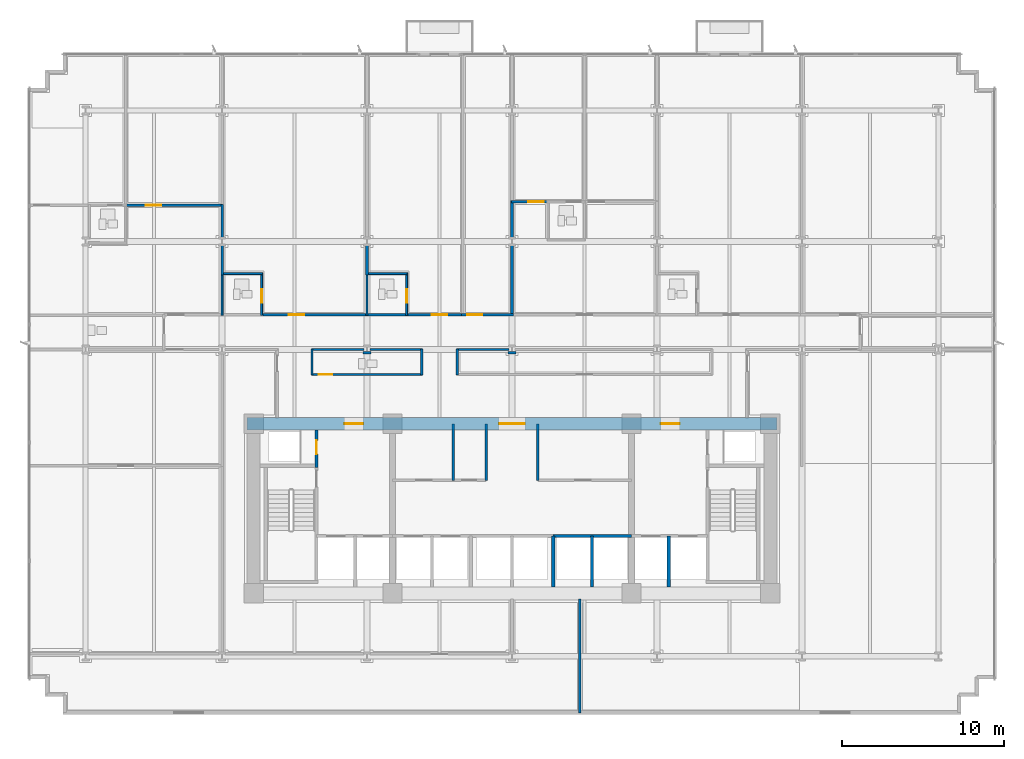
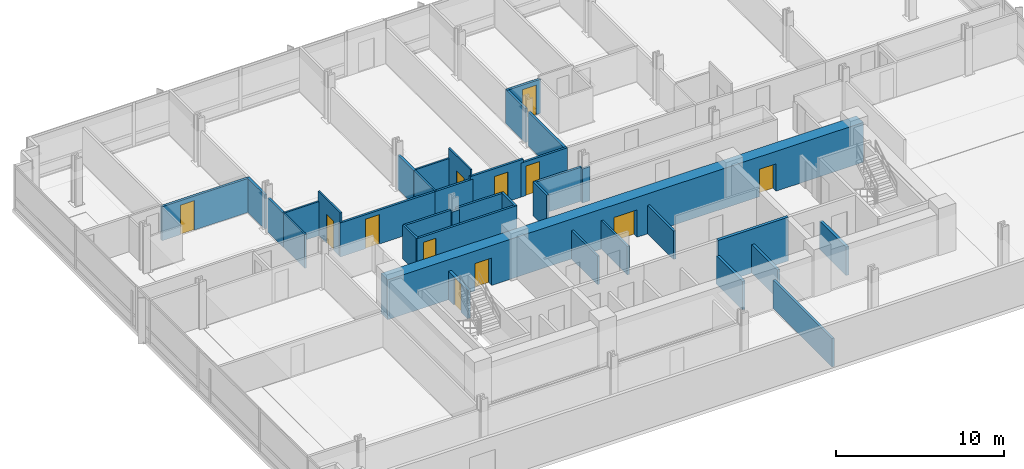
# One storey, part 9 of 15: 36 walls, 12 doors, 12 openings.
"""IFC4 building model written with IfcOpenShell, lengths in metres."""

import ifcopenshell
import ifcopenshell.guid

model = None  # the IFC model being written
_history = None  # IfcOwnerHistory: only IFC2X3 demands one
_inside = {}  # id of a spatial element -> (the spatial element, [elements in it])
_under = {}  # id of a project, library or spatial element -> (it, [spatial elements below it])
_declared = {}  # id of a project -> (the project, [libraries it declares])
_typed = {}  # id of a type object -> (the type object, [elements of that type])
_made_of = {}  # id of a material, layer set ... -> (it, [elements and type objects made of it])


def new_model(schema):
    """Start an empty IFC model of exactly this schema.

    Asked for "IFC4X3", IfcOpenShell would pick the latest addendum, in which some entities
    have other attributes; the version numbers below select the first issue.
    IFC2X3 requires an IfcOwnerHistory on every rooted entity: one is made here for all.
    """
    global model, _history
    if schema == "IFC4X3":
        model = ifcopenshell.file(schema_version=(4, 3, 0, 0))
    else:
        model = ifcopenshell.file(schema=schema)
    _inside.clear()
    _under.clear()
    _declared.clear()
    _typed.clear()
    _made_of.clear()
    _history = None
    if model.schema == "IFC2X3":
        org = make("IfcOrganization", Name="unknown")
        user = make(
            "IfcPersonAndOrganization",
            ThePerson=make("IfcPerson", FamilyName="unknown"),
            TheOrganization=org,
        )
        app = make(
            "IfcApplication",
            ApplicationDeveloper=org,
            Version="unknown",
            ApplicationFullName="unknown",
            ApplicationIdentifier="unknown",
        )
        _history = make(
            "IfcOwnerHistory",
            OwningUser=user,
            OwningApplication=app,
            ChangeAction="ADDED",
            CreationDate=0,
        )
    return model


def make(cls, **values):
    """One entity of the class cls with the attributes given. An attribute that is None is left unset."""
    return model.create_entity(
        cls, **{name: value for name, value in values.items() if value is not None}
    )


def rooted(cls, **values):
    """An entity with a GlobalId (a new one), such as an element, a storey or a relation."""
    return make(cls, GlobalId=ifcopenshell.guid.new(), OwnerHistory=_history, **values)


def si_unit(unit_type, name, prefix=None):
    """IfcSIUnit, for example si_unit("LENGTHUNIT", "METRE", prefix="MILLI")."""
    return make("IfcSIUnit", UnitType=unit_type, Prefix=prefix, Name=name)


def assignment(units):
    """IfcUnitAssignment: the units of a project."""
    return None if units is None else make("IfcUnitAssignment", Units=units)


def point(xyz):
    """IfcCartesianPoint."""
    return None if xyz is None else make("IfcCartesianPoint", Coordinates=xyz)


def direction(xyz):
    """IfcDirection."""
    return None if xyz is None else make("IfcDirection", DirectionRatios=xyz)


def frame(location, z_axis=None, x_axis=None):
    """IfcAxis2Placement3D, a coordinate frame: its origin and axes. An axis left out is left unset."""
    return make(
        "IfcAxis2Placement3D",
        Location=point(location),
        Axis=direction(z_axis),
        RefDirection=direction(x_axis),
    )


def frame_2d(location, x_axis=None):
    """IfcAxis2Placement2D, a coordinate frame in the plane: its origin and x axis."""
    return make(
        "IfcAxis2Placement2D", Location=point(location), RefDirection=direction(x_axis)
    )


def origin():
    """The frame at (0, 0, 0) with its axes left unset."""
    return frame((0.0, 0.0, 0.0))


def place(relative_to, where):
    """IfcLocalPlacement: puts the frame where relative to a parent placement (None: the world)."""
    return make(
        "IfcLocalPlacement", PlacementRelTo=relative_to, RelativePlacement=where
    )


def context(
    kind, dimensions, precision=None, world=None, true_north=None, identifier=None
):
    """IfcGeometricRepresentationContext, for example the 3D "Model" context."""
    return make(
        "IfcGeometricRepresentationContext",
        ContextIdentifier=identifier,
        ContextType=kind,
        CoordinateSpaceDimension=dimensions,
        Precision=precision,
        WorldCoordinateSystem=world,
        TrueNorth=true_north,
    )


def subcontext(parent, identifier, kind, view, scale=None):
    """IfcGeometricRepresentationSubContext, for example "Body" below "Model"."""
    return make(
        "IfcGeometricRepresentationSubContext",
        ContextIdentifier=identifier,
        ContextType=kind,
        ParentContext=parent,
        TargetScale=scale,
        TargetView=view,
    )


def project(units=None, contexts=None):
    """IfcProject with its units and contexts."""
    return rooted(
        "IfcProject",
        Name="project",
        RepresentationContexts=contexts,
        UnitsInContext=assignment(units),
    )


def spatial(cls, under=None, at=None, **own):
    """A site, building, storey or space (cls), placed at a placement, below another one or the project."""
    s = rooted(cls, ObjectPlacement=at, **own)
    if under is not None:
        _under.setdefault(under.id(), (under, []))[1].append(s)
    return s


def profile(cls, at=None, kind="AREA", **sizes):
    """A parametric profile (cls). Its sizes go by their IFC names, for example OverallWidth=200.0."""
    return make(cls, ProfileType=kind, Position=at, **sizes)


def rectangle(**sizes):
    """IfcRectangleProfileDef."""
    return profile("IfcRectangleProfileDef", **sizes)


def extrude(swept, where, along, depth):
    """IfcExtrudedAreaSolid: the profile swept, set in the frame where, extruded along a direction by depth."""
    return make(
        "IfcExtrudedAreaSolid",
        SweptArea=swept,
        Position=where,
        ExtrudedDirection=direction(along),
        Depth=depth,
    )


def shape(context_of_items, identifier, shape_type, items):
    """IfcShapeRepresentation: the items that make up one representation, for example the "Body"."""
    return make(
        "IfcShapeRepresentation",
        ContextOfItems=context_of_items,
        RepresentationIdentifier=identifier,
        RepresentationType=shape_type,
        Items=items,
    )


def material(Name=None, Category=None):
    """IfcMaterial."""
    return make("IfcMaterial", Name=Name, Category=Category)


def layer(
    of_material, thickness, ventilated=None, Name=None, Category=None, Priority=None
):
    """IfcMaterialLayer: one layer of a wall or slab, of a material (None: an air gap)."""
    return make(
        "IfcMaterialLayer",
        Material=of_material,
        LayerThickness=thickness,
        IsVentilated=ventilated,
        Name=Name,
        Category=Category,
        Priority=Priority,
    )


def layer_set(layers, Name=None):
    """IfcMaterialLayerSet."""
    return make("IfcMaterialLayerSet", MaterialLayers=layers, LayerSetName=Name)


def made_of(thing, what):
    """Note that an element or type object is made of a material, layer set ...; save() writes the relation."""
    if what is not None:
        _made_of.setdefault(what.id(), (what, []))[1].append(thing)
    return thing


def type_object(cls, material=None, **own):
    """A type object (cls), such as IfcWallType, which elements share."""
    return made_of(rooted(cls, **own), material)


def element(
    cls,
    number,
    at=None,
    inside=None,
    cuts=None,
    type_object=None,
    material=None,
    context=None,
    identifier="Body",
    shape_type=None,
    held_by="IfcProductDefinitionShape",
    body=None,
    shapes=None,
    **own,
):
    """One element of the class cls, such as IfcWall. Its Tag is "e" and its number.

    at: its placement. inside: the storey or other place that contains it. cuts: it is an
    opening in that element (IfcRelVoidsElement). A single representation is given by context,
    identifier, shape_type and body (its items); several are given by shapes. held_by: the class
    of the entity that holds the representations. save() writes the other relations.
    """
    e = rooted(cls, Tag="e%d" % number, ObjectPlacement=at, **own)
    if body is not None:
        shapes = [shape(context, identifier, shape_type, body)]
    if shapes is not None:
        e.Representation = make(held_by, Representations=shapes)
    if inside is not None:
        _inside.setdefault(inside.id(), (inside, []))[1].append(e)
    if cuts is not None:
        rooted(
            "IfcRelVoidsElement", RelatingBuildingElement=cuts, RelatedOpeningElement=e
        )
    if type_object is not None:
        _typed.setdefault(type_object.id(), (type_object, []))[1].append(e)
    return made_of(e, material)


def fill(opening, filler):
    """IfcRelFillsElement: the door or window that sits in an opening."""
    return rooted(
        "IfcRelFillsElement",
        RelatingOpeningElement=opening,
        RelatedBuildingElement=filler,
    )


def aggregate(whole, parts):
    """IfcRelAggregates: a whole, such as a stair, and the parts it consists of."""
    return rooted("IfcRelAggregates", RelatingObject=whole, RelatedObjects=parts)


def save(model, path):
    """Write the relations noted so far, then the file.

    IfcRelAggregates (storeys below a building ...), IfcRelContainedInSpatialStructure (elements
    in a storey), IfcRelDefinesByType, IfcRelAssociatesMaterial and IfcRelDeclares: one each for
    every whole, place, type object, material and project.
    """
    for whole, parts in _under.values():
        aggregate(whole, parts)
    for where, things in _inside.values():
        rooted(
            "IfcRelContainedInSpatialStructure",
            RelatedElements=things,
            RelatingStructure=where,
        )
    for kind, things in _typed.values():
        rooted("IfcRelDefinesByType", RelatedObjects=things, RelatingType=kind)
    for what, things in _made_of.values():
        rooted("IfcRelAssociatesMaterial", RelatedObjects=things, RelatingMaterial=what)
    for by, libraries in _declared.values():
        rooted("IfcRelDeclares", RelatingContext=by, RelatedDefinitions=libraries)
    model.write(path)


model = new_model("IFC4")

# Units and contexts
model_context = context("Model", 3, precision=1e-05, world=origin(), true_north=direction((0.0, 1.0)))
body_context = subcontext(model_context, "Body", "Model", "MODEL_VIEW")
ifc_project = project(units=[si_unit("LENGTHUNIT", "METRE"), si_unit("AREAUNIT", "SQUARE_METRE"), si_unit("VOLUMEUNIT", "CUBIC_METRE"), si_unit("PLANEANGLEUNIT", "RADIAN"), si_unit("MASSUNIT", "GRAM", prefix="KILO")], contexts=[model_context])

# Site, building, storey
site_placement = place(None, origin())
site = spatial("IfcSite", under=ifc_project, at=site_placement, CompositionType="ELEMENT")
building_placement = place(site_placement, origin())
building = spatial("IfcBuilding", under=site, at=building_placement, Name="Solmavex Isthmus Hotel", CompositionType="ELEMENT")
storey_placement = place(building_placement, frame((0.0, 0.0, 33.300048828125)))
storey = spatial("IfcBuildingStorey", under=building, at=storey_placement, Name="L08", CompositionType="ELEMENT", Elevation=33.300048828125)

# Wall, opening, door
ifc_material_1 = material(Name="Gypsum plasterboard lining", Category="gypsum")
ifc_layer_1 = layer(ifc_material_1, 0.159912109375)
ifc_layer_set_1 = layer_set([ifc_layer_1], Name="Gypsum plasterboard lining")
wall_type_1 = type_object("IfcWallType", Name="IW-COMP-160", PredefinedType="PARTITIONING", material=ifc_layer_set_1)
wall_1_placement = place(storey_placement, frame((-23.9560546875, 11.0380859375, 0.0), z_axis=(0.0, 0.0, 1.0), x_axis=(1.0, 0.0, 0.0)))
wall_1 = element("IfcWall", 1, at=wall_1_placement, inside=storey, type_object=wall_type_1, Name="Interior Partition Wall W-L08-P034", PredefinedType="PARTITIONING", context=body_context, shape_type="SweptSolid", body=[
    extrude(rectangle(XDim=6.0439453125, YDim=0.159912109375, at=frame_2d((3.02197265625, 0.0))), origin(), (0.0, 0.0, 1.0), 2.4794921875),
])
opening_1_placement = place(wall_1_placement, frame((1.294677734375, 0.0, 0.0)))
opening_1 = element("IfcOpeningElement", 2, at=opening_1_placement, cuts=wall_1, Name="Opening ID-C095", PredefinedType="OPENING", context=body_context, shape_type="SweptSolid", body=[
    extrude(rectangle(XDim=0.949951171875, YDim=2.14990234375, at=frame_2d((0.47509765625, 1.074951171875))), frame((0.0, 0.08984375, 0.0), z_axis=(0.0, -1.0, 0.0), x_axis=(1.0, 0.0, 0.0)), (0.0, 0.0, 1.0), 0.179931640625),
])
ifc_material_2 = material(Name="Hardwood timber", Category="wood")
door_type_1 = type_object("IfcDoorType", Name="IDR-FD60-0950", OperationType="NOTDEFINED", PredefinedType="DOOR", material=ifc_material_2)
door_1_placement = place(opening_1_placement, origin())
door_1 = element("IfcDoor", 3, at=door_1_placement, inside=storey, type_object=door_type_1, Name="Ambassador Panorama Suite Panorama Sitting Study Door L08-03", OperationType="SINGLE_SWING_LEFT", OverallHeight=2.14990234375, OverallWidth=0.949951171875, PredefinedType="DOOR", context=body_context, shape_type="SweptSolid", body=[
    extrude(rectangle(XDim=0.949951171875, YDim=2.14990234375, at=frame_2d((0.47509765625, 1.074951171875))), frame((0.0, 0.02490234375, 0.0), z_axis=(0.0, -1.0, 0.0), x_axis=(1.0, 0.0, 0.0)), (0.0, 0.0, 1.0), 0.050048828125),
])
fill(opening_1, door_1)

# Walls
wall_2_placement = place(storey_placement, frame((-17.951904296875, 8.613037109375, 0.0), z_axis=(0.0, 0.0, 1.0), x_axis=(0.0, -1.0, 0.0)))
element("IfcWall", 4, at=wall_2_placement, inside=storey, type_object=wall_type_1, Name="Interior Partition Wall W-L08-P038", PredefinedType="PARTITIONING", context=body_context, shape_type="SweptSolid", body=[
    extrude(rectangle(XDim=1.89501953125, YDim=0.159912109375, at=frame_2d((0.947509765625, 0.0))), origin(), (0.0, 0.0, 1.0), 2.4794921875),
])
wall_3_placement = place(storey_placement, frame((-17.951904296875, 11.077880859375, 0.0), z_axis=(0.0, 0.0, 1.0), x_axis=(0.0, -1.0, 0.0)))
element("IfcWall", 5, at=wall_3_placement, inside=storey, type_object=wall_type_1, Name="Interior Partition Wall W-L08-P039", PredefinedType="PARTITIONING", context=body_context, shape_type="SweptSolid", body=[
    extrude(rectangle(XDim=2.114990234375, YDim=0.159912109375, at=frame_2d((1.0576171875, 0.0))), origin(), (0.0, 0.0, 1.0), 2.4794921875),
])
wall_4_placement = place(storey_placement, frame((-8.97607421875, 8.613037109375, 0.0), z_axis=(0.0, 0.0, 1.0), x_axis=(0.0, -1.0, 0.0)))
element("IfcWall", 6, at=wall_4_placement, inside=storey, type_object=wall_type_1, Name="Interior Partition Wall W-L08-P048", PredefinedType="PARTITIONING", context=body_context, shape_type="SweptSolid", body=[
    extrude(rectangle(XDim=1.89501953125, YDim=0.159912109375, at=frame_2d((0.947509765625, 0.0))), origin(), (0.0, 0.0, 1.0), 2.4794921875),
])
wall_5_placement = place(storey_placement, frame((0.0, 8.613037109375, 0.0), z_axis=(0.0, 0.0, 1.0), x_axis=(0.0, -1.0, 0.0)))
element("IfcWall", 7, at=wall_5_placement, inside=storey, type_object=wall_type_1, Name="Interior Partition Wall W-L08-P055", PredefinedType="PARTITIONING", context=body_context, shape_type="SweptSolid", body=[
    extrude(rectangle(XDim=4.403076171875, YDim=0.159912109375, at=frame_2d((2.20166015625, 0.0))), origin(), (0.0, 0.0, 1.0), 2.4794921875),
])
wall_6_placement = place(storey_placement, frame((0.0, 11.320068359375, 0.0), z_axis=(0.0, 0.0, 1.0), x_axis=(0.0, -1.0, 0.0)))
element("IfcWall", 8, at=wall_6_placement, inside=storey, type_object=wall_type_1, Name="Interior Partition Wall W-L08-P056", PredefinedType="PARTITIONING", context=body_context, shape_type="SweptSolid", body=[
    extrude(rectangle(XDim=2.357177734375, YDim=0.159912109375, at=frame_2d((1.1787109375, 0.0))), origin(), (0.0, 0.0, 1.0), 2.4794921875),
])

# Wall, opening, door
wall_7_placement = place(storey_placement, frame((-0.0400390625, 11.238037109375, 0.0), z_axis=(0.0, 0.0, 1.0), x_axis=(1.0, 0.0, 0.0)))
wall_7 = element("IfcWall", 9, at=wall_7_placement, inside=storey, type_object=wall_type_1, Name="Interior Partition Wall W-L08-P059", PredefinedType="PARTITIONING", context=body_context, shape_type="SweptSolid", body=[
    extrude(rectangle(XDim=2.318115234375, YDim=0.159912109375, at=frame_2d((1.1591796875, 0.0))), origin(), (0.0, 0.0, 1.0), 2.4794921875),
])
opening_2_placement = place(wall_7_placement, frame((1.06005859375, 0.0, 0.0)))
opening_2 = element("IfcOpeningElement", 10, at=opening_2_placement, cuts=wall_7, Name="Opening ID-C095", PredefinedType="OPENING", context=body_context, shape_type="SweptSolid", body=[
    extrude(rectangle(XDim=0.949951171875, YDim=2.14990234375, at=frame_2d((0.47509765625, 1.074951171875))), frame((0.0, 0.08984375, 0.0), z_axis=(0.0, -1.0, 0.0), x_axis=(1.0, 0.0, 0.0)), (0.0, 0.0, 1.0), 0.179931640625),
])
door_2_placement = place(opening_2_placement, origin())
door_2 = element("IfcDoor", 11, at=door_2_placement, inside=storey, type_object=door_type_1, Name="Diplomatic Hospitality Suite Bedroom Door L08-11", OperationType="SINGLE_SWING_LEFT", OverallHeight=2.14990234375, OverallWidth=0.949951171875, PredefinedType="DOOR", context=body_context, shape_type="SweptSolid", body=[
    extrude(rectangle(XDim=0.949951171875, YDim=2.14990234375, at=frame_2d((0.47509765625, 1.074951171875))), frame((0.0, 0.02490234375, 0.0), z_axis=(0.0, -1.0, 0.0), x_axis=(1.0, 0.0, 0.0)), (0.0, 0.0, 1.0), 0.050048828125),
])
fill(opening_2, door_2)

# Walls
wall_8_placement = place(storey_placement, frame((4.199951171875, -20.419921875, 0.0), z_axis=(0.0, 0.0, 1.0), x_axis=(0.0, 1.0, 0.0)))
element("IfcWall", 12, at=wall_8_placement, inside=storey, type_object=wall_type_1, Name="Interior Partition Wall W-L08-P088", PredefinedType="PARTITIONING", context=body_context, shape_type="SweptSolid", body=[
    extrude(rectangle(XDim=7.059814453125, YDim=0.159912109375, at=frame_2d((3.52978515625, 0.0))), origin(), (0.0, 0.0, 1.0), 2.074951171875),
])
ifc_layer_2 = layer(ifc_material_1, 0.14990234375)
ifc_layer_set_2 = layer_set([ifc_layer_2], Name="Gypsum plasterboard lining")
wall_type_2 = type_object("IfcWallType", Name="IW-CORR-150", PredefinedType="PARTITIONING", material=ifc_layer_set_2)
for number, where, z_axis, x_axis, name in (
    (13, (-1.60009765625, -6.0, 0.0), (0.0, 0.0, 1.0), (0.0, 1.0, 0.0), "Interior Partition Wall W-L08-BOH-WE"),
    (14, (1.60009765625, -6.0, 0.0), (0.0, 0.0, 1.0), (0.0, 1.0, 0.0), "Interior Partition Wall W-L08-BOH-EW"),
):
    element("IfcWall", number, at=place(storey_placement, frame(where, z_axis=z_axis, x_axis=x_axis)), inside=storey, type_object=wall_type_2, Name=name, PredefinedType="PARTITIONING", context=body_context, shape_type="SweptSolid", body=[
        extrude(rectangle(XDim=3.5, YDim=0.14990234375, at=frame_2d((1.75, 0.0))), origin(), (0.0, 0.0, 1.0), 2.074951171875),
    ])

# Wall, opening, door
wall_9_placement = place(storey_placement, frame((-15.583984375, 4.25, 0.0), z_axis=(0.0, 0.0, 1.0), x_axis=(1.0, 0.0, 0.0)))
wall_9 = element("IfcWall", 15, at=wall_9_placement, inside=storey, type_object=wall_type_2, Name="Interior Partition Wall W-L08-P002", PredefinedType="PARTITIONING", context=body_context, shape_type="SweptSolid", body=[
    extrude(rectangle(XDim=6.68994140625, YDim=0.14990234375, at=frame_2d((3.344970703125, 0.0))), origin(), (0.0, 0.0, 1.0), 2.4794921875),
])
opening_3_placement = place(wall_9_placement, frame((1.759521484375, 0.0, 0.0)))
opening_3 = element("IfcOpeningElement", 16, at=opening_3_placement, cuts=wall_9, Name="Opening ID-C095", PredefinedType="OPENING", context=body_context, shape_type="SweptSolid", body=[
    extrude(rectangle(XDim=0.949951171875, YDim=2.14990234375, at=frame_2d((0.47509765625, 1.074951171875))), frame((0.0, 0.0849609375, 0.0), z_axis=(0.0, -1.0, 0.0), x_axis=(1.0, 0.0, 0.0)), (0.0, 0.0, 1.0), 0.169921875),
])
door_3_placement = place(opening_3_placement, origin())
door_3 = element("IfcDoor", 17, at=door_3_placement, inside=storey, type_object=door_type_1, Name="Premier Suite Door L08-05", OperationType="SINGLE_SWING_LEFT", OverallHeight=2.14990234375, OverallWidth=0.949951171875, PredefinedType="DOOR", context=body_context, shape_type="SweptSolid", body=[
    extrude(rectangle(XDim=0.949951171875, YDim=2.14990234375, at=frame_2d((0.47509765625, 1.074951171875))), frame((0.0, 0.02490234375, 0.0), z_axis=(0.0, -1.0, 0.0), x_axis=(1.0, 0.0, 0.0)), (0.0, 0.0, 1.0), 0.050048828125),
])
fill(opening_3, door_3)

wall_10_placement = place(storey_placement, frame((-6.60791015625, 4.25, 0.0), z_axis=(0.0, 0.0, 1.0), x_axis=(1.0, 0.0, 0.0)))
wall_10 = element("IfcWall", 18, at=wall_10_placement, inside=storey, type_object=wall_type_2, Name="Interior Partition Wall W-L08-P004", PredefinedType="PARTITIONING", context=body_context, shape_type="SweptSolid", body=[
    extrude(rectangle(XDim=3.65185546875, YDim=0.14990234375, at=frame_2d((1.825927734375, 0.0))), origin(), (0.0, 0.0, 1.0), 2.718017578125),
])
opening_4_placement = place(wall_10_placement, frame((1.65087890625, 0.0, 0.0)))
opening_4 = element("IfcOpeningElement", 19, at=opening_4_placement, cuts=wall_10, Name="Opening ID-C095", PredefinedType="OPENING", context=body_context, shape_type="SweptSolid", body=[
    extrude(rectangle(XDim=0.949951171875, YDim=2.14990234375, at=frame_2d((0.47509765625, 1.074951171875))), frame((0.0, 0.0849609375, 0.0), z_axis=(0.0, -1.0, 0.0), x_axis=(1.0, 0.0, 0.0)), (0.0, 0.0, 1.0), 0.169921875),
])
door_4_placement = place(opening_4_placement, origin())
door_4 = element("IfcDoor", 20, at=door_4_placement, inside=storey, type_object=door_type_1, Name="Premier Suite Door L08-07", OperationType="SINGLE_SWING_LEFT", OverallHeight=2.14990234375, OverallWidth=0.949951171875, PredefinedType="DOOR", context=body_context, shape_type="SweptSolid", body=[
    extrude(rectangle(XDim=0.949951171875, YDim=2.14990234375, at=frame_2d((0.47509765625, 1.074951171875))), frame((0.0, 0.02490234375, 0.0), z_axis=(0.0, -1.0, 0.0), x_axis=(1.0, 0.0, 0.0)), (0.0, 0.0, 1.0), 0.050048828125),
])
fill(opening_4, door_4)

# Wall
wall_11_placement = place(storey_placement, frame((-9.05810546875, 4.25, 0.0), z_axis=(0.0, 0.0, 1.0), x_axis=(1.0, 0.0, 0.0)))
element("IfcWall", 21, at=wall_11_placement, inside=storey, type_object=wall_type_2, Name="Interior Partition Wall W-L08-P005", PredefinedType="PARTITIONING", context=body_context, shape_type="SweptSolid", body=[
    extrude(rectangle(XDim=2.614013671875, YDim=0.14990234375, at=frame_2d((1.30712890625, 0.0))), origin(), (0.0, 0.0, 1.0), 2.4794921875),
])

# Wall, opening, door
wall_12_placement = place(storey_placement, frame((-3.1201171875, 4.25, 0.0), z_axis=(0.0, 0.0, 1.0), x_axis=(1.0, 0.0, 0.0)))
wall_12 = element("IfcWall", 22, at=wall_12_placement, inside=storey, type_object=wall_type_2, Name="Interior Partition Wall W-L08-P006", PredefinedType="PARTITIONING", context=body_context, shape_type="SweptSolid", body=[
    extrude(rectangle(XDim=3.2021484375, YDim=0.14990234375, at=frame_2d((1.60107421875, 0.0))), origin(), (0.0, 0.0, 1.0), 2.4794921875),
])
opening_5_placement = place(wall_12_placement, frame((0.33935546875, 0.0, 0.0)))
opening_5 = element("IfcOpeningElement", 23, at=opening_5_placement, cuts=wall_12, Name="Opening ID-C095", PredefinedType="OPENING", context=body_context, shape_type="SweptSolid", body=[
    extrude(rectangle(XDim=0.949951171875, YDim=2.14990234375, at=frame_2d((0.47509765625, 1.074951171875))), frame((0.0, 0.0849609375, 0.0), z_axis=(0.0, -1.0, 0.0), x_axis=(1.0, 0.0, 0.0)), (0.0, 0.0, 1.0), 0.169921875),
])
door_5_placement = place(opening_5_placement, origin())
door_5 = element("IfcDoor", 24, at=door_5_placement, inside=storey, type_object=door_type_1, Name="Hospitality Club Lounge Door L08-09", OperationType="SINGLE_SWING_LEFT", OverallHeight=2.14990234375, OverallWidth=0.949951171875, PredefinedType="DOOR", context=body_context, shape_type="SweptSolid", body=[
    extrude(rectangle(XDim=0.949951171875, YDim=2.14990234375, at=frame_2d((0.47509765625, 1.074951171875))), frame((0.0, 0.02490234375, 0.0), z_axis=(0.0, -1.0, 0.0), x_axis=(1.0, 0.0, 0.0)), (0.0, 0.0, 1.0), 0.050048828125),
])
fill(opening_5, door_5)

# Walls
wall_13_placement = place(storey_placement, frame((-8.720947265625, 1.885009765625, 0.0), z_axis=(0.0, 0.0, 1.0), x_axis=(-1.0, 0.0, 0.0)))
element("IfcWall", 25, at=wall_13_placement, inside=storey, type_object=wall_type_2, Name="Interior Partition Wall W-L08-P011", PredefinedType="PARTITIONING", context=body_context, shape_type="SweptSolid", body=[
    extrude(rectangle(XDim=0.510009765625, YDim=0.14990234375, at=frame_2d((0.2548828125, 0.0))), origin(), (0.0, 0.0, 1.0), 2.4794921875),
])
wall_14_placement = place(storey_placement, frame((-9.15087890625, 2.10009765625, 0.0), z_axis=(0.0, 0.0, 1.0), x_axis=(-1.0, 0.0, 0.0)))
element("IfcWall", 26, at=wall_14_placement, inside=storey, type_object=wall_type_2, Name="Interior Partition Wall W-L08-P012", PredefinedType="PARTITIONING", context=body_context, shape_type="SweptSolid", body=[
    extrude(rectangle(XDim=3.273193359375, YDim=0.14990234375, at=frame_2d((1.63671875, 0.0))), origin(), (0.0, 0.0, 1.0), 2.4794921875),
])
wall_15_placement = place(storey_placement, frame((-12.384033203125, 2.139892578125, 0.0), z_axis=(0.0, 0.0, 1.0), x_axis=(0.0, -1.0, 0.0)))
element("IfcWall", 27, at=wall_15_placement, inside=storey, type_object=wall_type_2, Name="Interior Partition Wall W-L08-P013", PredefinedType="PARTITIONING", context=body_context, shape_type="SweptSolid", body=[
    extrude(rectangle(XDim=1.6298828125, YDim=0.14990234375, at=frame_2d((0.81494140625, 0.0))), origin(), (0.0, 0.0, 1.0), 2.4794921875),
])

# Wall, opening, door
wall_16_placement = place(storey_placement, frame((-12.424072265625, 0.550048828125, 0.0), z_axis=(0.0, 0.0, 1.0), x_axis=(1.0, 0.0, 0.0)))
wall_16 = element("IfcWall", 28, at=wall_16_placement, inside=storey, type_object=wall_type_2, Name="Interior Partition Wall W-L08-P014", PredefinedType="PARTITIONING", context=body_context, shape_type="SweptSolid", body=[
    extrude(rectangle(XDim=6.8759765625, YDim=0.14990234375, at=frame_2d((3.43798828125, 0.0))), origin(), (0.0, 0.0, 1.0), 2.4794921875),
])
opening_6_placement = place(wall_16_placement, frame((0.444091796875, 0.0, 0.0)))
opening_6 = element("IfcOpeningElement", 29, at=opening_6_placement, cuts=wall_16, Name="Opening ID-R085", PredefinedType="OPENING", context=body_context, shape_type="SweptSolid", body=[
    extrude(rectangle(XDim=0.85009765625, YDim=2.050048828125, at=frame_2d((0.425048828125, 1.02490234375))), frame((0.0, 0.0849609375, 0.0), z_axis=(0.0, -1.0, 0.0), x_axis=(1.0, 0.0, 0.0)), (0.0, 0.0, 1.0), 0.169921875),
])
ifc_material_3 = material(Name="Steel ASTM A500 Grade C", Category="steel")
door_type_2 = type_object("IfcDoorType", Name="IDR-FD60-0850", OperationType="NOTDEFINED", PredefinedType="DOOR", material=ifc_material_3)
door_6_placement = place(opening_6_placement, frame((0.85009765625, 0.0, 0.0), z_axis=(0.0, 0.0, 1.0), x_axis=(-1.0, 0.0, 0.0)))
door_6 = element("IfcDoor", 30, at=door_6_placement, inside=storey, type_object=door_type_2, Name="Accessible Public Restroom WC Door L08-17", OperationType="SINGLE_SWING_LEFT", OverallHeight=2.050048828125, OverallWidth=0.85009765625, PredefinedType="DOOR", context=body_context, shape_type="SweptSolid", body=[
    extrude(rectangle(XDim=0.85009765625, YDim=2.050048828125, at=frame_2d((0.425048828125, 1.02490234375))), frame((0.0, 0.02490234375, 0.0), z_axis=(0.0, -1.0, 0.0), x_axis=(1.0, 0.0, 0.0)), (0.0, 0.0, 1.0), 0.050048828125),
])
fill(opening_6, door_6)

# Walls
wall_17_placement = place(storey_placement, frame((-5.587890625, 0.510009765625, 0.0), z_axis=(0.0, 0.0, 1.0), x_axis=(0.0, 1.0, 0.0)))
element("IfcWall", 31, at=wall_17_placement, inside=storey, type_object=wall_type_2, Name="Interior Partition Wall W-L08-P015", PredefinedType="PARTITIONING", context=body_context, shape_type="SweptSolid", body=[
    extrude(rectangle(XDim=1.6298828125, YDim=0.14990234375, at=frame_2d((0.81494140625, 0.0))), origin(), (0.0, 0.0, 1.0), 2.4794921875),
])
wall_18_placement = place(storey_placement, frame((-5.548095703125, 2.10009765625, 0.0), z_axis=(0.0, 0.0, 1.0), x_axis=(-1.0, 0.0, 0.0)))
element("IfcWall", 32, at=wall_18_placement, inside=storey, type_object=wall_type_2, Name="Interior Partition Wall W-L08-P016", PredefinedType="PARTITIONING", context=body_context, shape_type="SweptSolid", body=[
    extrude(rectangle(XDim=3.2529296875, YDim=0.14990234375, at=frame_2d((1.62646484375, 0.0))), origin(), (0.0, 0.0, 1.0), 2.4794921875),
])
wall_19_placement = place(storey_placement, frame((0.2548828125, 1.885009765625, 0.0), z_axis=(0.0, 0.0, 1.0), x_axis=(-1.0, 0.0, 0.0)))
element("IfcWall", 33, at=wall_19_placement, inside=storey, type_object=wall_type_2, Name="Interior Partition Wall W-L08-P020", PredefinedType="PARTITIONING", context=body_context, shape_type="SweptSolid", body=[
    extrude(rectangle(XDim=0.509765625, YDim=0.14990234375, at=frame_2d((0.2548828125, 0.0))), origin(), (0.0, 0.0, 1.0), 2.4794921875),
])
wall_20_placement = place(storey_placement, frame((-0.175048828125, 2.10009765625, 0.0), z_axis=(0.0, 0.0, 1.0), x_axis=(-1.0, 0.0, 0.0)))
element("IfcWall", 34, at=wall_20_placement, inside=storey, type_object=wall_type_2, Name="Interior Partition Wall W-L08-P021", PredefinedType="PARTITIONING", context=body_context, shape_type="SweptSolid", body=[
    extrude(rectangle(XDim=3.2529296875, YDim=0.14990234375, at=frame_2d((1.62646484375, 0.0))), origin(), (0.0, 0.0, 1.0), 2.4794921875),
])
wall_21_placement = place(storey_placement, frame((-3.387939453125, 2.139892578125, 0.0), z_axis=(0.0, 0.0, 1.0), x_axis=(0.0, -1.0, 0.0)))
element("IfcWall", 35, at=wall_21_placement, inside=storey, type_object=wall_type_2, Name="Interior Partition Wall W-L08-P022", PredefinedType="PARTITIONING", context=body_context, shape_type="SweptSolid", body=[
    extrude(rectangle(XDim=1.6298828125, YDim=0.14990234375, at=frame_2d((0.81494140625, 0.0))), origin(), (0.0, 0.0, 1.0), 2.4794921875),
])
ifc_layer_3 = layer(ifc_material_1, 0.1201171875)
ifc_layer_set_3 = layer_set([ifc_layer_3], Name="Gypsum plasterboard lining")
wall_type_3 = type_object("IfcWallType", Name="IW-PART-120", PredefinedType="PARTITIONING", material=ifc_layer_set_3)
wall_22_placement = place(storey_placement, frame((-3.64990234375, -6.0, 0.0), z_axis=(0.0, 0.0, 1.0), x_axis=(0.0, 1.0, 0.0)))
element("IfcWall", 36, at=wall_22_placement, inside=storey, type_object=wall_type_3, Name="Interior Partition Wall W-L08-BOH-WM1", PredefinedType="PARTITIONING", context=body_context, shape_type="SweptSolid", body=[
    extrude(rectangle(XDim=3.5, YDim=0.14990234375, at=frame_2d((1.75, 0.0))), origin(), (0.0, 0.0, 1.0), 2.074951171875),
])
wall_23_placement = place(storey_placement, frame((-17.951904296875, 6.882080078125, 0.0), z_axis=(0.0, 0.0, 1.0), x_axis=(0.0, -1.0, 0.0)))
element("IfcWall", 37, at=wall_23_placement, inside=storey, type_object=wall_type_3, Name="Interior Partition Wall W-L08-P040", PredefinedType="PARTITIONING", context=body_context, shape_type="SweptSolid", body=[
    extrude(rectangle(XDim=2.672119140625, YDim=0.1201171875, at=frame_2d((1.3359375, 0.0))), origin(), (0.0, 0.0, 1.0), 2.4794921875),
])

# Wall, opening, door
wall_24_placement = place(storey_placement, frame((-15.501953125, 4.2099609375, 0.0), z_axis=(0.0, 0.0, 1.0), x_axis=(0.0, 1.0, 0.0)))
wall_24 = element("IfcWall", 38, at=wall_24_placement, inside=storey, type_object=wall_type_3, Name="Interior Partition Wall W-L08-P046", PredefinedType="PARTITIONING", context=body_context, shape_type="SweptSolid", body=[
    extrude(rectangle(XDim=2.630126953125, YDim=0.1201171875, at=frame_2d((1.31494140625, 0.0))), origin(), (0.0, 0.0, 1.0), 3.18994140625),
])
opening_7_placement = place(wall_24_placement, frame((0.782958984375, 0.0, 0.0)))
opening_7 = element("IfcOpeningElement", 39, at=opening_7_placement, cuts=wall_24, Name="Opening ID-U085", PredefinedType="OPENING", context=body_context, shape_type="SweptSolid", body=[
    extrude(rectangle(XDim=0.85009765625, YDim=2.10009765625, at=frame_2d((0.425048828125, 1.050048828125))), frame((0.0, 0.070068359375, 0.0), z_axis=(0.0, -1.0, 0.0), x_axis=(1.0, 0.0, 0.0)), (0.0, 0.0, 1.0), 0.14013671875),
])
door_type_3 = type_object("IfcDoorType", Name="IDR-UNR-0850", OperationType="NOTDEFINED", PredefinedType="DOOR", material=ifc_material_2)
door_7_placement = place(opening_7_placement, frame((0.85009765625, 0.0, 0.0), z_axis=(0.0, 0.0, 1.0), x_axis=(-1.0, 0.0, 0.0)))
door_7 = element("IfcDoor", 40, at=door_7_placement, inside=storey, type_object=door_type_3, Name="En-suite Bathroom Door L08-06", OperationType="SINGLE_SWING_RIGHT", OverallHeight=2.10009765625, OverallWidth=0.85009765625, PredefinedType="DOOR", context=body_context, shape_type="SweptSolid", body=[
    extrude(rectangle(XDim=0.85009765625, YDim=2.10009765625, at=frame_2d((0.425048828125, 1.050048828125))), frame((0.0, 0.02490234375, 0.0), z_axis=(0.0, -1.0, 0.0), x_axis=(1.0, 0.0, 0.0)), (0.0, 0.0, 1.0), 0.050048828125),
])
fill(opening_7, door_7)

# Walls
wall_25_placement = place(storey_placement, frame((-15.4619140625, 6.800048828125, 0.0), z_axis=(0.0, 0.0, 1.0), x_axis=(-1.0, 0.0, 0.0)))
element("IfcWall", 41, at=wall_25_placement, inside=storey, type_object=wall_type_3, Name="Interior Partition Wall W-L08-P047", PredefinedType="PARTITIONING", context=body_context, shape_type="SweptSolid", body=[
    extrude(rectangle(XDim=2.530029296875, YDim=0.1201171875, at=frame_2d((1.26513671875, 0.0))), origin(), (0.0, 0.0, 1.0), 2.4794921875),
])
wall_26_placement = place(storey_placement, frame((-8.97607421875, 6.882080078125, 0.0), z_axis=(0.0, 0.0, 1.0), x_axis=(0.0, -1.0, 0.0)))
element("IfcWall", 42, at=wall_26_placement, inside=storey, type_object=wall_type_3, Name="Interior Partition Wall W-L08-P051", PredefinedType="PARTITIONING", context=body_context, shape_type="SweptSolid", body=[
    extrude(rectangle(XDim=2.672119140625, YDim=0.1201171875, at=frame_2d((1.3359375, 0.0))), origin(), (0.0, 0.0, 1.0), 2.4794921875),
])

# Wall, opening, door
wall_27_placement = place(storey_placement, frame((-6.52587890625, 4.2099609375, 0.0), z_axis=(0.0, 0.0, 1.0), x_axis=(0.0, 1.0, 0.0)))
wall_27 = element("IfcWall", 43, at=wall_27_placement, inside=storey, type_object=wall_type_3, Name="Interior Partition Wall W-L08-P052", PredefinedType="PARTITIONING", context=body_context, shape_type="SweptSolid", body=[
    extrude(rectangle(XDim=2.630126953125, YDim=0.1201171875, at=frame_2d((1.31494140625, 0.0))), origin(), (0.0, 0.0, 1.0), 3.18994140625),
])
opening_8_placement = place(wall_27_placement, frame((0.782958984375, 0.0, 0.0)))
opening_8 = element("IfcOpeningElement", 44, at=opening_8_placement, cuts=wall_27, Name="Opening ID-U085", PredefinedType="OPENING", context=body_context, shape_type="SweptSolid", body=[
    extrude(rectangle(XDim=0.85009765625, YDim=2.10009765625, at=frame_2d((0.425048828125, 1.050048828125))), frame((0.0, 0.070068359375, 0.0), z_axis=(0.0, -1.0, 0.0), x_axis=(1.0, 0.0, 0.0)), (0.0, 0.0, 1.0), 0.14013671875),
])
door_8_placement = place(opening_8_placement, frame((0.85009765625, 0.0, 0.0), z_axis=(0.0, 0.0, 1.0), x_axis=(-1.0, 0.0, 0.0)))
door_8 = element("IfcDoor", 45, at=door_8_placement, inside=storey, type_object=door_type_3, Name="En-suite Bathroom Door L08-08", OperationType="SINGLE_SWING_RIGHT", OverallHeight=2.10009765625, OverallWidth=0.85009765625, PredefinedType="DOOR", context=body_context, shape_type="SweptSolid", body=[
    extrude(rectangle(XDim=0.85009765625, YDim=2.10009765625, at=frame_2d((0.425048828125, 1.050048828125))), frame((0.0, 0.02490234375, 0.0), z_axis=(0.0, -1.0, 0.0), x_axis=(1.0, 0.0, 0.0)), (0.0, 0.0, 1.0), 0.050048828125),
])
fill(opening_8, door_8)

# Walls
wall_28_placement = place(storey_placement, frame((-6.486083984375, 6.800048828125, 0.0), z_axis=(0.0, 0.0, 1.0), x_axis=(-1.0, 0.0, 0.0)))
element("IfcWall", 46, at=wall_28_placement, inside=storey, type_object=wall_type_3, Name="Interior Partition Wall W-L08-P053", PredefinedType="PARTITIONING", context=body_context, shape_type="SweptSolid", body=[
    extrude(rectangle(XDim=2.530029296875, YDim=0.1201171875, at=frame_2d((1.26513671875, 0.0))), origin(), (0.0, 0.0, 1.0), 2.4794921875),
])
ifc_material_4 = material(Name="Concrete C40/50", Category="concrete")
ifc_layer_4 = layer(ifc_material_4, 0.179931640625)
ifc_layer_set_4 = layer_set([ifc_layer_4], Name="Concrete C40/50")
wall_type_4 = type_object("IfcWallType", Name="IW-SHAFT-180", PredefinedType="PARTITIONING", material=ifc_layer_set_4)
wall_29_placement = place(storey_placement, frame((4.949951171875, -12.60009765625, 0.0), z_axis=(0.0, 0.0, 1.0), x_axis=(0.0, 1.0, 0.0)))
element("IfcWall", 47, at=wall_29_placement, inside=storey, type_object=wall_type_4, Name="Interior Partition Wall W-L08-SH-PLH-M", PredefinedType="PARTITIONING", context=body_context, shape_type="SweptSolid", body=[
    extrude(rectangle(XDim=3.150146484375, YDim=0.179931640625, at=frame_2d((1.5751953125, 0.0))), origin(), (0.0, 0.0, 1.0), 2.074951171875),
])

# Wall, opening, door
ifc_layer_5 = layer(ifc_material_4, 0.199951171875)
ifc_layer_set_5 = layer_set([ifc_layer_5], Name="Concrete C40/50")
wall_type_5 = type_object("IfcWallType", Name="IW-SHAFT-200", PredefinedType="PARTITIONING", material=ifc_layer_set_5)
wall_30_placement = place(storey_placement, frame((-12.10009765625, -5.199951171875, 0.0), z_axis=(0.0, 0.0, 1.0), x_axis=(0.0, 1.0, 0.0)))
wall_30 = element("IfcWall", 48, at=wall_30_placement, inside=storey, type_object=wall_type_5, Name="Interior Partition Wall W-L08-RSW-E", PredefinedType="PARTITIONING", context=body_context, shape_type="SweptSolid", body=[
    extrude(rectangle(XDim=2.300048828125, YDim=0.199951171875, at=frame_2d((1.14990234375, 0.0))), origin(), (0.0, 0.0, 1.0), 2.074951171875),
])
opening_9_placement = place(wall_30_placement, frame((0.824951171875, 0.0, 0.0)))
opening_9 = element("IfcOpeningElement", 49, at=opening_9_placement, cuts=wall_30, Name="Opening ID-R085", PredefinedType="OPENING", context=body_context, shape_type="SweptSolid", body=[
    extrude(rectangle(XDim=0.85009765625, YDim=2.050048828125, at=frame_2d((0.425048828125, 1.02490234375))), frame((0.0, 0.10986328125, 0.0), z_axis=(0.0, -1.0, 0.0), x_axis=(1.0, 0.0, 0.0)), (0.0, 0.0, 1.0), 0.219970703125),
])
door_9_placement = place(opening_9_placement, origin())
door_9 = element("IfcDoor", 50, at=door_9_placement, inside=storey, type_object=door_type_2, Name="Electrical Riser Door L08", OperationType="SINGLE_SWING_RIGHT", OverallHeight=2.050048828125, OverallWidth=0.85009765625, PredefinedType="DOOR", context=body_context, shape_type="SweptSolid", body=[
    extrude(rectangle(XDim=0.85009765625, YDim=2.050048828125, at=frame_2d((0.425048828125, 1.02490234375))), frame((0.0, 0.02490234375, 0.0), z_axis=(0.0, -1.0, 0.0), x_axis=(1.0, 0.0, 0.0)), (0.0, 0.0, 1.0), 0.050048828125),
])
fill(opening_9, door_9)

# Walls
for number, where, z_axis, x_axis, name in (
    (51, (9.699951171875, -12.60009765625, 0.0), (0.0, 0.0, 1.0), (0.0, 1.0, 0.0), "Interior Partition Wall W-L08-FFLE-M"),
    (52, (2.550048828125, -12.60009765625, 0.0), (0.0, 0.0, 1.0), (0.0, 1.0, 0.0), "Interior Partition Wall W-L08-SH-PLM-E"),
):
    element("IfcWall", number, at=place(storey_placement, frame(where, z_axis=z_axis, x_axis=x_axis)), inside=storey, type_object=wall_type_5, Name=name, PredefinedType="PARTITIONING", context=body_context, shape_type="SweptSolid", body=[
        extrude(rectangle(XDim=3.150146484375, YDim=0.199951171875, at=frame_2d((1.5751953125, 0.0))), origin(), (0.0, 0.0, 1.0), 2.074951171875),
    ])
wall_31_placement = place(storey_placement, frame((2.550048828125, -9.449951171875, 0.0), z_axis=(0.0, 0.0, 1.0), x_axis=(1.0, 0.0, 0.0)))
element("IfcWall", 53, at=wall_31_placement, inside=storey, type_object=wall_type_5, Name="Interior Partition Wall W-L08-SH-PLH", PredefinedType="PARTITIONING", context=body_context, shape_type="SweptSolid", body=[
    extrude(rectangle(XDim=4.849853515625, YDim=0.199951171875, at=frame_2d((2.4248046875, 0.0))), origin(), (0.0, 0.0, 1.0), 3.18994140625),
])

# Wall, openings, doors
ifc_material_5 = material(Name="Concrete C70/85", Category="concrete")
ifc_layer_6 = layer(ifc_material_5, 0.800048828125)
ifc_layer_set_6 = layer_set([ifc_layer_6], Name="Concrete C70/85")
wall_type_6 = type_object("IfcWallType", Name="WALL-CW-800", PredefinedType="SHEAR", material=ifc_layer_set_6)
wall_32_placement = place(storey_placement, frame((-16.39990234375, -2.5, 0.0), z_axis=(0.0, 0.0, 1.0), x_axis=(1.0, 0.0, 0.0)))
wall_32 = element("IfcWall", 54, at=wall_32_placement, inside=storey, type_object=wall_type_6, Name="Core Shear Wall North L08", PredefinedType="SHEAR", context=body_context, shape_type="SweptSolid", body=[
    extrude(rectangle(XDim=32.7998046875, YDim=0.800048828125, at=frame_2d((16.39990234375, 0.0))), origin(), (0.0, 0.0, 1.0), 2.909912109375),
])
opening_10_placement = place(wall_32_placement, frame((6.02490234375, 0.0, 0.0)))
opening_10 = element("IfcOpeningElement", 55, at=opening_10_placement, cuts=wall_32, Name="Opening ID-F915", PredefinedType="OPENING", context=body_context, shape_type="SweptSolid", body=[
    extrude(rectangle(XDim=1.14990234375, YDim=2.0, at=frame_2d((0.574951171875, 1.0))), frame((0.0, 0.409912109375, 0.0), z_axis=(0.0, -1.0, 0.0), x_axis=(1.0, 0.0, 0.0)), (0.0, 0.0, 1.0), 0.820068359375),
])
opening_11_placement = place(wall_32_placement, frame((15.60009765625, 0.0, 0.0)))
opening_11 = element("IfcOpeningElement", 56, at=opening_11_placement, cuts=wall_32, Name="Opening ID-F960", PredefinedType="OPENING", context=body_context, shape_type="SweptSolid", body=[
    extrude(rectangle(XDim=1.60009765625, YDim=2.0, at=frame_2d((0.800048828125, 1.0))), frame((0.0, 0.409912109375, 0.0), z_axis=(0.0, -1.0, 0.0), x_axis=(1.0, 0.0, 0.0)), (0.0, 0.0, 1.0), 0.820068359375),
])
opening_12_placement = place(wall_32_placement, frame((25.625, 0.0, 0.0)))
opening_12 = element("IfcOpeningElement", 57, at=opening_12_placement, cuts=wall_32, Name="Opening ID-F915", PredefinedType="OPENING", context=body_context, shape_type="SweptSolid", body=[
    extrude(rectangle(XDim=1.14990234375, YDim=2.0, at=frame_2d((0.574951171875, 1.0))), frame((0.0, 0.409912109375, 0.0), z_axis=(0.0, -1.0, 0.0), x_axis=(1.0, 0.0, 0.0)), (0.0, 0.0, 1.0), 0.820068359375),
])
door_type_4 = type_object("IfcDoorType", Name="IDR-FD90-1150C", OperationType="NOTDEFINED", PredefinedType="DOOR", material=ifc_material_3)
door_10_placement = place(opening_10_placement, origin())
door_10 = element("IfcDoor", 58, at=door_10_placement, inside=storey, type_object=door_type_4, Name="Firefighting Lobby West Exit Door L08", OperationType="SINGLE_SWING_LEFT", OverallHeight=2.0, OverallWidth=1.14990234375, PredefinedType="DOOR", context=body_context, shape_type="SweptSolid", body=[
    extrude(rectangle(XDim=1.14990234375, YDim=2.0, at=frame_2d((0.574951171875, 1.0))), frame((0.0, 0.02490234375, 0.0), z_axis=(0.0, -1.0, 0.0), x_axis=(1.0, 0.0, 0.0)), (0.0, 0.0, 1.0), 0.050048828125),
])
fill(opening_10, door_10)
door_11_placement = place(opening_12_placement, origin())
door_11 = element("IfcDoor", 59, at=door_11_placement, inside=storey, type_object=door_type_4, Name="Firefighting Lobby East Exit Door L08", OperationType="SINGLE_SWING_RIGHT", OverallHeight=2.0, OverallWidth=1.14990234375, PredefinedType="DOOR", context=body_context, shape_type="SweptSolid", body=[
    extrude(rectangle(XDim=1.14990234375, YDim=2.0, at=frame_2d((0.574951171875, 1.0))), frame((0.0, 0.02490234375, 0.0), z_axis=(0.0, -1.0, 0.0), x_axis=(1.0, 0.0, 0.0)), (0.0, 0.0, 1.0), 0.050048828125),
])
fill(opening_12, door_11)
door_type_5 = type_object("IfcDoorType", Name="IDR-FD90-1600C", OperationType="NOTDEFINED", PredefinedType="DOOR", material=ifc_material_3)
door_12_placement = place(opening_11_placement, origin())
door_12 = element("IfcDoor", 60, at=door_12_placement, inside=storey, type_object=door_type_5, Name="Central Lift Lobby Door L08", OperationType="DOUBLE_DOOR_SINGLE_SWING", OverallHeight=2.0, OverallWidth=1.60009765625, PredefinedType="DOOR", context=body_context, shape_type="SweptSolid", body=[
    extrude(rectangle(XDim=1.60009765625, YDim=2.0, at=frame_2d((0.800048828125, 1.0))), frame((0.0, 0.02490234375, 0.0), z_axis=(0.0, -1.0, 0.0), x_axis=(1.0, 0.0, 0.0)), (0.0, 0.0, 1.0), 0.050048828125),
])
fill(opening_11, door_12)

save(model, "model.ifc")
